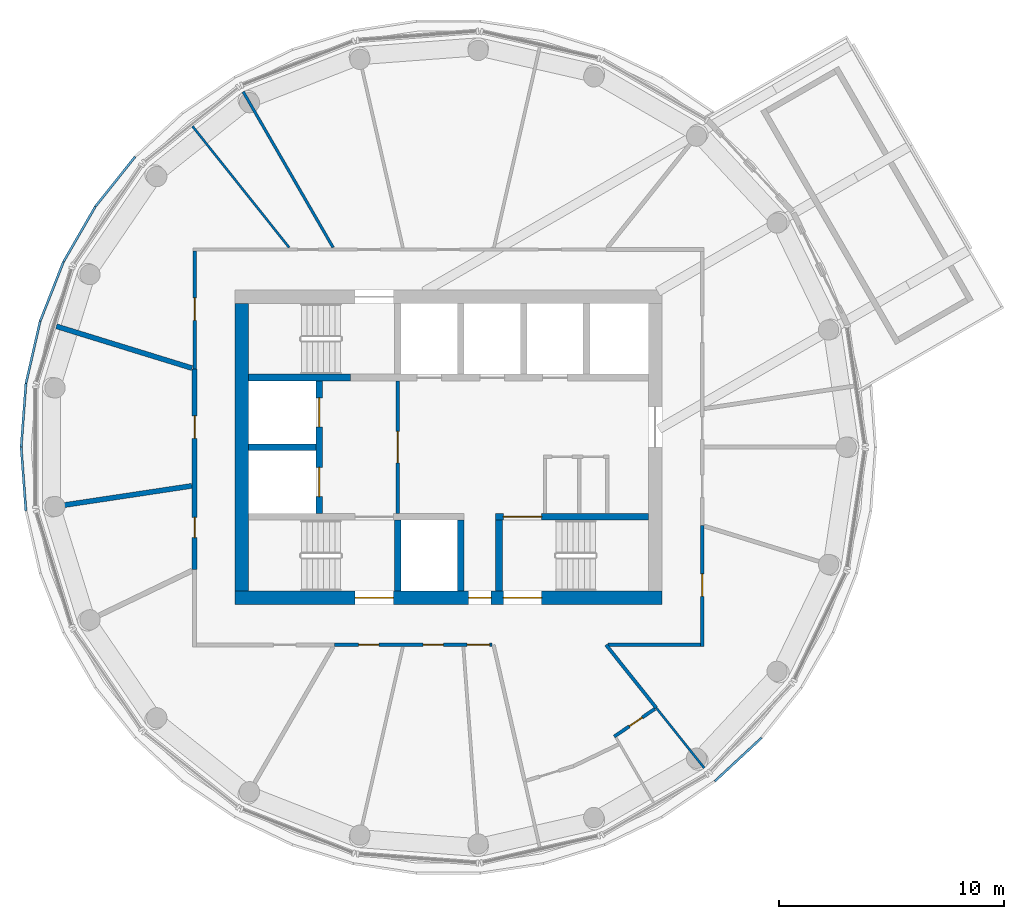
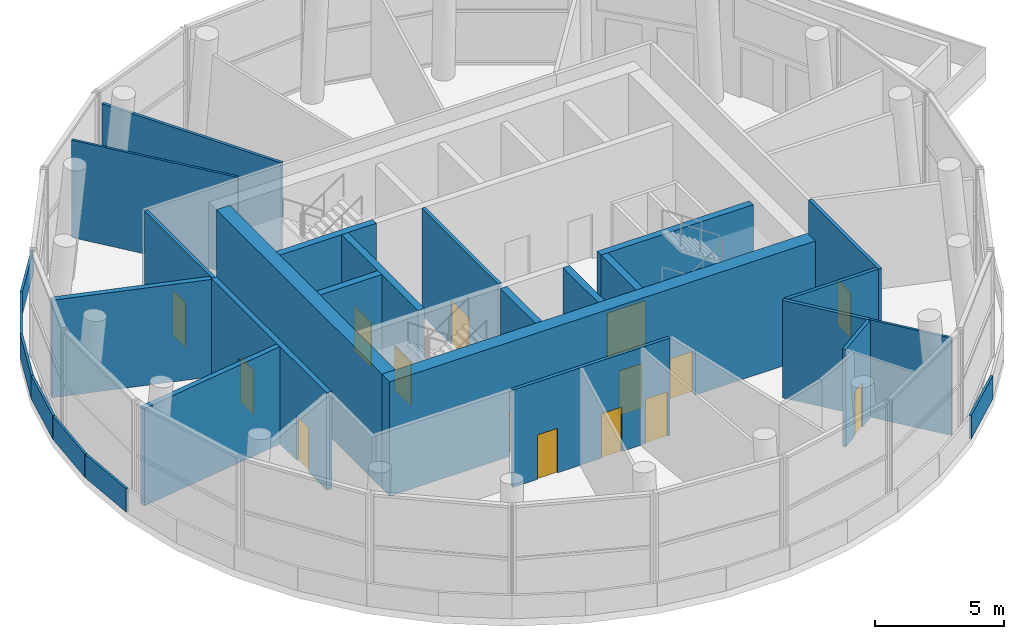
# One storey, part 5 of 10: 29 walls, 15 doors, 15 openings.
"""IFC4 building model written with IfcOpenShell, lengths in metres."""

from ifc_helpers import new_model, si_unit, direction, frame, frame_2d, origin, place, context, subcontext, project, spatial, rectangle, extrude, material, layer, layer_set, type_object, element, fill, save


model = new_model("IFC4")

# Units and contexts
model_context = context("Model", 3, precision=1e-05, world=origin(), true_north=direction((0.0, 1.0)))
body_context = subcontext(model_context, "Body", "Model", "MODEL_VIEW")
ifc_project = project(units=[si_unit("LENGTHUNIT", "METRE"), si_unit("AREAUNIT", "SQUARE_METRE"), si_unit("VOLUMEUNIT", "CUBIC_METRE"), si_unit("PLANEANGLEUNIT", "RADIAN"), si_unit("MASSUNIT", "GRAM", prefix="KILO")], contexts=[model_context])

# Site, building, storey
site_placement = place(None, origin())
site = spatial("IfcSite", under=ifc_project, at=site_placement, CompositionType="ELEMENT")
building_placement = place(site_placement, origin())
building = spatial("IfcBuilding", under=site, at=building_placement, Name="Tracery Tower", CompositionType="ELEMENT")
storey_placement = place(building_placement, frame((0.0, 0.0, 341.39990234375)))
storey = spatial("IfcBuildingStorey", under=building, at=storey_placement, Name="L88", CompositionType="ELEMENT", Elevation=341.39990234375)

# Wall, opening, door
ifc_material_1 = material(Name="Plasterboard on steel studs", Category="steel")
ifc_layer_1 = layer(ifc_material_1, 0.14990234375)
ifc_layer_set_1 = layer_set([ifc_layer_1], Name="Core lobby partition 150")
wall_type_1 = type_object("IfcWallType", Name="Core lobby partition 150", PredefinedType="SOLIDWALL", material=ifc_layer_set_1)
wall_1_placement = place(storey_placement, frame((-2.25, -2.949951171875, 0.0), z_axis=(0.0, 0.0, 1.0), x_axis=(0.0, 1.0, 0.0)))
wall_1 = element("IfcWall", 1, at=wall_1_placement, inside=storey, type_object=wall_type_1, Name="L88 FF lobby E", PredefinedType="SOLIDWALL", context=body_context, shape_type="SweptSolid", body=[
    extrude(rectangle(XDim=5.89990234375, YDim=0.14990234375, at=frame_2d((2.949951171875, 0.0))), origin(), (0.0, 0.0, 1.0), 5.050048828125),
])
opening_1_placement = place(wall_1_placement, frame((2.25, 0.0, 0.0)))
opening_1 = element("IfcOpeningElement", 2, at=opening_1_placement, cuts=wall_1, Name="Opening KD8", PredefinedType="OPENING", context=body_context, shape_type="SweptSolid", body=[
    extrude(rectangle(XDim=1.39990234375, YDim=2.10009765625, at=frame_2d((0.699951171875, 1.050048828125))), frame((0.0, 0.074951171875, 0.0), z_axis=(0.0, -1.0, 0.0), x_axis=(1.0, 0.0, 0.0)), (0.0, 0.0, 1.0), 0.14990234375),
])
ifc_material_2 = material(Name="Steel fire door", Category="steel")
door_type_1 = type_object("IfcDoorType", Name="Core lobby door 1400 double", OperationType="NOTDEFINED", PredefinedType="DOOR", material=ifc_material_2)
door_1_placement = place(opening_1_placement, origin())
door_1 = element("IfcDoor", 3, at=door_1_placement, inside=storey, type_object=door_type_1, Name="Fire-fighting lobby door", OperationType="DOUBLE_DOOR_SINGLE_SWING", OverallHeight=2.10009765625, OverallWidth=1.39990234375, PredefinedType="DOOR", context=body_context, shape_type="SweptSolid", body=[
    extrude(rectangle(XDim=1.39990234375, YDim=2.10009765625, at=frame_2d((0.699951171875, 1.050048828125))), frame((0.0, 0.02490234375, 0.0), z_axis=(0.0, -1.0, 0.0), x_axis=(1.0, 0.0, 0.0)), (0.0, 0.0, 1.0), 0.050048828125),
])
fill(opening_1, door_1)

# Wall, openings, doors
ifc_material_3 = material(Name="Concrete C40/50", Category="concrete")
ifc_layer_2 = layer(ifc_material_3, 0.60009765625)
ifc_layer_set_2 = layer_set([ifc_layer_2], Name="Core wall 600 C40")
wall_type_2 = type_object("IfcWallType", Name="Core wall 600 C40", PredefinedType="SOLIDWALL", material=ifc_layer_set_2)
wall_2_placement = place(storey_placement, frame((-9.5, -6.699951171875, 0.0), z_axis=(0.0, 0.0, 1.0), x_axis=(1.0, 0.0, 0.0)))
wall_2 = element("IfcWall", 4, at=wall_2_placement, inside=storey, type_object=wall_type_2, Name="L88 outer S", PredefinedType="SOLIDWALL", context=body_context, shape_type="SweptSolid", body=[
    extrude(rectangle(XDim=19.0, YDim=0.60009765625, at=frame_2d((9.5, 0.0))), origin(), (0.0, 0.0, 1.0), 5.400146484375),
])
opening_2_placement = place(wall_2_placement, frame((10.39990234375, 0.0, 0.0)))
opening_2 = element("IfcOpeningElement", 5, at=opening_2_placement, cuts=wall_2, Name="Opening KD16", PredefinedType="OPENING", context=body_context, shape_type="SweptSolid", body=[
    extrude(rectangle(XDim=1.0, YDim=2.10009765625, at=frame_2d((0.5, 1.050048828125))), frame((0.0, 0.300048828125, 0.0), z_axis=(0.0, -1.0, 0.0), x_axis=(1.0, 0.0, 0.0)), (0.0, 0.0, 1.0), 0.60009765625),
])
opening_3_placement = place(wall_2_placement, frame((5.35009765625, 0.0, 0.0)))
opening_3 = element("IfcOpeningElement", 6, at=opening_3_placement, cuts=wall_2, Name="Opening KD3", PredefinedType="OPENING", context=body_context, shape_type="SweptSolid", body=[
    extrude(rectangle(XDim=1.699951171875, YDim=2.10009765625, at=frame_2d((0.85009765625, 1.050048828125))), frame((0.0, 0.300048828125, 0.0), z_axis=(0.0, -1.0, 0.0), x_axis=(1.0, 0.0, 0.0)), (0.0, 0.0, 1.0), 0.60009765625),
])
opening_4_placement = place(wall_2_placement, frame((11.949951171875, 0.0, 0.0)))
opening_4 = element("IfcOpeningElement", 7, at=opening_4_placement, cuts=wall_2, Name="Opening KD3", PredefinedType="OPENING", context=body_context, shape_type="SweptSolid", body=[
    extrude(rectangle(XDim=1.699951171875, YDim=2.10009765625, at=frame_2d((0.85009765625, 1.050048828125))), frame((0.0, 0.300048828125, 0.0), z_axis=(0.0, -1.0, 0.0), x_axis=(1.0, 0.0, 0.0)), (0.0, 0.0, 1.0), 0.60009765625),
])
ifc_material_4 = material(Name="Steel fire door", Category="steel")
door_type_2 = type_object("IfcDoorType", Name="Core exit door 1000", OperationType="NOTDEFINED", PredefinedType="DOOR", material=ifc_material_4)
door_2_placement = place(opening_2_placement, origin())
door_2 = element("IfcDoor", 8, at=door_2_placement, inside=storey, type_object=door_type_2, Name="Core exit door", OperationType="SINGLE_SWING_LEFT", OverallHeight=2.10009765625, OverallWidth=1.0, PredefinedType="DOOR", context=body_context, shape_type="SweptSolid", body=[
    extrude(rectangle(XDim=1.0, YDim=2.10009765625, at=frame_2d((0.5, 1.050048828125))), frame((0.0, 0.02490234375, 0.0), z_axis=(0.0, -1.0, 0.0), x_axis=(1.0, 0.0, 0.0)), (0.0, 0.0, 1.0), 0.050048828125),
])
fill(opening_2, door_2)
ifc_material_5 = material(Name="Steel fire door", Category="steel")
door_type_3 = type_object("IfcDoorType", Name="Core stair door 1700 double", OperationType="NOTDEFINED", PredefinedType="DOOR", material=ifc_material_5)
door_3_placement = place(opening_3_placement, origin())
door_3 = element("IfcDoor", 9, at=door_3_placement, inside=storey, type_object=door_type_3, Name="Stair door ST1 exit", OperationType="DOUBLE_DOOR_SINGLE_SWING", OverallHeight=2.10009765625, OverallWidth=1.699951171875, PredefinedType="DOOR", context=body_context, shape_type="SweptSolid", body=[
    extrude(rectangle(XDim=1.699951171875, YDim=2.10009765625, at=frame_2d((0.85009765625, 1.050048828125))), frame((0.0, 0.02490234375, 0.0), z_axis=(0.0, -1.0, 0.0), x_axis=(1.0, 0.0, 0.0)), (0.0, 0.0, 1.0), 0.050048828125),
])
fill(opening_3, door_3)
door_4_placement = place(opening_4_placement, origin())
door_4 = element("IfcDoor", 10, at=door_4_placement, inside=storey, type_object=door_type_3, Name="Stair door ST2 exit", OperationType="DOUBLE_DOOR_SINGLE_SWING", OverallHeight=2.10009765625, OverallWidth=1.699951171875, PredefinedType="DOOR", context=body_context, shape_type="SweptSolid", body=[
    extrude(rectangle(XDim=1.699951171875, YDim=2.10009765625, at=frame_2d((0.85009765625, 1.050048828125))), frame((0.0, 0.02490234375, 0.0), z_axis=(0.0, -1.0, 0.0), x_axis=(1.0, 0.0, 0.0)), (0.0, 0.0, 1.0), 0.050048828125),
])
fill(opening_4, door_4)

# Wall
wall_3_placement = place(storey_placement, frame((-9.199951171875, -6.39990234375, 0.0), z_axis=(0.0, 0.0, 1.0), x_axis=(0.0, 1.0, 0.0)))
element("IfcWall", 11, at=wall_3_placement, inside=storey, type_object=wall_type_2, Name="L88 outer W", PredefinedType="SOLIDWALL", context=body_context, shape_type="SweptSolid", body=[
    extrude(rectangle(XDim=12.7998046875, YDim=0.60009765625, at=frame_2d((6.39990234375, 0.0))), origin(), (0.0, 0.0, 1.0), 5.400146484375),
])

# Wall, opening, door
ifc_material_6 = material(Name="Plasterboard on steel studs", Category="steel")
ifc_layer_3 = layer(ifc_material_6, 0.14990234375)
ifc_layer_set_3 = layer_set([ifc_layer_3], Name="Corridor partition 150")
wall_type_3 = type_object("IfcWallType", Name="Corridor partition 150", PredefinedType="PARTITIONING", material=ifc_layer_set_3)
wall_4_placement = place(storey_placement, frame((-11.300048828125, 3.485595703125, 0.0), z_axis=(0.0, 0.0, 1.0), x_axis=(0.0, 1.0, 0.0)))
wall_4 = element("IfcWall", 12, at=wall_4_placement, inside=storey, type_object=wall_type_3, Name="Corridor partition 150", PredefinedType="PARTITIONING", context=body_context, shape_type="SweptSolid", body=[
    extrude(rectangle(XDim=5.239501953125, YDim=0.14990234375, at=frame_2d((2.61962890625, 0.0))), origin(), (0.0, 0.0, 1.0), 4.60009765625),
])
opening_5_placement = place(wall_4_placement, frame((2.1572265625, 0.0, 0.0)))
opening_5 = element("IfcOpeningElement", 13, at=opening_5_placement, cuts=wall_4, Name="Opening SB-L88-06", PredefinedType="OPENING", context=body_context, shape_type="SweptSolid", body=[
    extrude(rectangle(XDim=1.0, YDim=2.10009765625, at=frame_2d((0.5, 1.050048828125))), frame((0.0, 0.074951171875, 0.0), z_axis=(0.0, -1.0, 0.0), x_axis=(1.0, 0.0, 0.0)), (0.0, 0.0, 1.0), 0.14990234375),
])
ifc_material_7 = material(Name="Timber door leaf", Category="wood")
door_type_4 = type_object("IfcDoorType", Name="Public room door 1000", OperationType="NOTDEFINED", PredefinedType="DOOR", material=ifc_material_7)
door_5_placement = place(opening_5_placement, origin())
door_5 = element("IfcDoor", 14, at=door_5_placement, inside=storey, type_object=door_type_4, Name="Public room door 1000", OperationType="SINGLE_SWING_RIGHT", OverallHeight=2.10009765625, OverallWidth=1.0, PredefinedType="DOOR", context=body_context, shape_type="SweptSolid", body=[
    extrude(rectangle(XDim=1.0, YDim=2.10009765625, at=frame_2d((0.5, 1.050048828125))), frame((0.0, 0.02490234375, 0.0), z_axis=(0.0, -1.0, 0.0), x_axis=(1.0, 0.0, 0.0)), (0.0, 0.0, 1.0), 0.050048828125),
])
fill(opening_5, door_5)

# Wall, openings, doors
wall_5_placement = place(storey_placement, frame((1.931640625, -8.800048828125, 0.0), z_axis=(0.0, 0.0, 1.0), x_axis=(-1.0, 0.0, 0.0)))
wall_5 = element("IfcWall", 15, at=wall_5_placement, inside=storey, type_object=wall_type_3, Name="Corridor partition 150", PredefinedType="PARTITIONING", context=body_context, shape_type="SweptSolid", body=[
    extrude(rectangle(XDim=7.012451171875, YDim=0.14990234375, at=frame_2d((3.50634765625, 0.0))), origin(), (0.0, 0.0, 1.0), 4.60009765625),
])
opening_6_placement = place(wall_5_placement, frame((5.026123046875, 0.0, 0.0)))
opening_6 = element("IfcOpeningElement", 16, at=opening_6_placement, cuts=wall_5, Name="Opening SB-L88-10", PredefinedType="OPENING", context=body_context, shape_type="SweptSolid", body=[
    extrude(rectangle(XDim=0.89990234375, YDim=2.10009765625, at=frame_2d((0.449951171875, 1.050048828125))), frame((0.0, 0.074951171875, 0.0), z_axis=(0.0, -1.0, 0.0), x_axis=(1.0, 0.0, 0.0)), (0.0, 0.0, 1.0), 0.14990234375),
])
opening_7_placement = place(wall_5_placement, frame((2.156005859375, 0.0, 0.0)))
opening_7 = element("IfcOpeningElement", 17, at=opening_7_placement, cuts=wall_5, Name="Opening SB-L88-11", PredefinedType="OPENING", context=body_context, shape_type="SweptSolid", body=[
    extrude(rectangle(XDim=0.89990234375, YDim=2.10009765625, at=frame_2d((0.449951171875, 1.050048828125))), frame((0.0, 0.074951171875, 0.0), z_axis=(0.0, -1.0, 0.0), x_axis=(1.0, 0.0, 0.0)), (0.0, 0.0, 1.0), 0.14990234375),
])
opening_8_placement = place(wall_5_placement, frame((0.09765625, 0.0, 0.0)))
opening_8 = element("IfcOpeningElement", 18, at=opening_8_placement, cuts=wall_5, Name="Opening SB-L88-12", PredefinedType="OPENING", context=body_context, shape_type="SweptSolid", body=[
    extrude(rectangle(XDim=1.0, YDim=2.10009765625, at=frame_2d((0.5, 1.050048828125))), frame((0.0, 0.074951171875, 0.0), z_axis=(0.0, -1.0, 0.0), x_axis=(1.0, 0.0, 0.0)), (0.0, 0.0, 1.0), 0.14990234375),
])
ifc_material_8 = material(Name="Timber door leaf", Category="wood")
door_type_5 = type_object("IfcDoorType", Name="Accessible toilet door 1000", OperationType="NOTDEFINED", PredefinedType="DOOR", material=ifc_material_8)
door_6_placement = place(opening_8_placement, origin())
door_6 = element("IfcDoor", 19, at=door_6_placement, inside=storey, type_object=door_type_5, Name="Accessible toilet door 1000", OperationType="SINGLE_SWING_RIGHT", OverallHeight=2.10009765625, OverallWidth=1.0, PredefinedType="DOOR", context=body_context, shape_type="SweptSolid", body=[
    extrude(rectangle(XDim=1.0, YDim=2.10009765625, at=frame_2d((0.5, 1.050048828125))), frame((0.0, 0.02490234375, 0.0), z_axis=(0.0, -1.0, 0.0), x_axis=(1.0, 0.0, 0.0)), (0.0, 0.0, 1.0), 0.050048828125),
])
fill(opening_8, door_6)
ifc_material_9 = material(Name="Timber door leaf", Category="wood")
door_type_6 = type_object("IfcDoorType", Name="Toilet door 900", OperationType="NOTDEFINED", PredefinedType="DOOR", material=ifc_material_9)
door_7_placement = place(opening_6_placement, origin())
door_7 = element("IfcDoor", 20, at=door_7_placement, inside=storey, type_object=door_type_6, Name="Toilet door 900", OperationType="SINGLE_SWING_RIGHT", OverallHeight=2.10009765625, OverallWidth=0.89990234375, PredefinedType="DOOR", context=body_context, shape_type="SweptSolid", body=[
    extrude(rectangle(XDim=0.89990234375, YDim=2.10009765625, at=frame_2d((0.449951171875, 1.050048828125))), frame((0.0, 0.02490234375, 0.0), z_axis=(0.0, -1.0, 0.0), x_axis=(1.0, 0.0, 0.0)), (0.0, 0.0, 1.0), 0.050048828125),
])
fill(opening_6, door_7)
door_8_placement = place(opening_7_placement, origin())
door_8 = element("IfcDoor", 21, at=door_8_placement, inside=storey, type_object=door_type_6, Name="Toilet door 900", OperationType="SINGLE_SWING_RIGHT", OverallHeight=2.10009765625, OverallWidth=0.89990234375, PredefinedType="DOOR", context=body_context, shape_type="SweptSolid", body=[
    extrude(rectangle(XDim=0.89990234375, YDim=2.10009765625, at=frame_2d((0.449951171875, 1.050048828125))), frame((0.0, 0.02490234375, 0.0), z_axis=(0.0, -1.0, 0.0), x_axis=(1.0, 0.0, 0.0)), (0.0, 0.0, 1.0), 0.050048828125),
])
fill(opening_7, door_8)

# Wall
wall_6_placement = place(storey_placement, frame((7.11376953125, -8.800048828125, 0.0), z_axis=(0.0, 0.0, 1.0), x_axis=(1.0, 0.0, 0.0)))
element("IfcWall", 22, at=wall_6_placement, inside=storey, type_object=wall_type_3, Name="Corridor partition 150", PredefinedType="PARTITIONING", context=body_context, shape_type="SweptSolid", body=[
    extrude(rectangle(XDim=4.111328125, YDim=0.14990234375, at=frame_2d((2.0556640625, 0.0))), origin(), (0.0, 0.0, 1.0), 4.60009765625),
])

# Wall, opening, door
wall_7_placement = place(storey_placement, frame((9.193603515625, -11.6484375, 0.0), z_axis=(0.0, 0.0, 1.0), x_axis=(-0.826217924627, -0.563350637724, 0.0)))
wall_7 = element("IfcWall", 23, at=wall_7_placement, inside=storey, type_object=wall_type_3, Name="Corridor partition 150", PredefinedType="PARTITIONING", context=body_context, shape_type="SweptSolid", body=[
    extrude(rectangle(XDim=2.19384765625, YDim=0.14990234375, at=frame_2d((1.096923828125, 0.0))), origin(), (0.0, 0.0, 1.0), 4.60009765625),
])
opening_9_placement = place(wall_7_placement, frame((0.68408203125, 0.0, 0.0)))
opening_9 = element("IfcOpeningElement", 24, at=opening_9_placement, cuts=wall_7, Name="Opening SB-L88-14", PredefinedType="OPENING", context=body_context, shape_type="SweptSolid", body=[
    extrude(rectangle(XDim=0.699951171875, YDim=2.10009765625, at=frame_2d((0.35009765625, 1.050048828125))), frame((0.0, 0.074951171875, 0.0), z_axis=(0.0, -1.0, 0.0), x_axis=(1.0, 0.0, 0.0)), (0.0, 0.0, 1.0), 0.14990234375),
])
ifc_material_10 = material(Name="Steel fire door", Category="steel")
door_type_7 = type_object("IfcDoorType", Name="Riser door 700", OperationType="NOTDEFINED", PredefinedType="DOOR", material=ifc_material_10)
door_9_placement = place(opening_9_placement, origin())
door_9 = element("IfcDoor", 25, at=door_9_placement, inside=storey, type_object=door_type_7, Name="Riser door 700", OperationType="SINGLE_SWING_RIGHT", OverallHeight=2.10009765625, OverallWidth=0.699951171875, PredefinedType="DOOR", context=body_context, shape_type="SweptSolid", body=[
    extrude(rectangle(XDim=0.699951171875, YDim=2.10009765625, at=frame_2d((0.35009765625, 1.050048828125))), frame((0.0, 0.02490234375, 0.0), z_axis=(0.0, -1.0, 0.0), x_axis=(1.0, 0.0, 0.0)), (0.0, 0.0, 1.0), 0.050048828125),
])
fill(opening_9, door_9)

# Wall
wall_8_placement = place(storey_placement, frame((9.255615234375, -11.606201171875, 0.0), z_axis=(0.0, 0.0, 1.0), x_axis=(-0.623483185338, 0.781836758921, 0.0)))
element("IfcWall", 26, at=wall_8_placement, inside=storey, type_object=wall_type_3, Name="Corridor partition 150", PredefinedType="PARTITIONING", context=body_context, shape_type="SweptSolid", body=[
    extrude(rectangle(XDim=3.589111328125, YDim=0.14990234375, at=frame_2d((1.79443359375, 0.0))), origin(), (0.0, 0.0, 1.0), 4.60009765625),
])

# Wall, opening, door
wall_9_placement = place(storey_placement, frame((11.300048828125, -3.485595703125, 0.0), z_axis=(0.0, 0.0, 1.0), x_axis=(0.0, -1.0, 0.0)))
wall_9 = element("IfcWall", 27, at=wall_9_placement, inside=storey, type_object=wall_type_3, Name="Corridor partition 150", PredefinedType="PARTITIONING", context=body_context, shape_type="SweptSolid", body=[
    extrude(rectangle(XDim=5.389404296875, YDim=0.14990234375, at=frame_2d((2.69482421875, 0.0))), origin(), (0.0, 0.0, 1.0), 4.60009765625),
])
opening_10_placement = place(wall_9_placement, frame((2.1572265625, 0.0, 0.0)))
opening_10 = element("IfcOpeningElement", 28, at=opening_10_placement, cuts=wall_9, Name="Opening SB-L88-15", PredefinedType="OPENING", context=body_context, shape_type="SweptSolid", body=[
    extrude(rectangle(XDim=1.0, YDim=2.10009765625, at=frame_2d((0.5, 1.050048828125))), frame((0.0, 0.074951171875, 0.0), z_axis=(0.0, -1.0, 0.0), x_axis=(1.0, 0.0, 0.0)), (0.0, 0.0, 1.0), 0.14990234375),
])
door_10_placement = place(opening_10_placement, origin())
door_10 = element("IfcDoor", 29, at=door_10_placement, inside=storey, type_object=door_type_4, Name="Public room door 1000", OperationType="SINGLE_SWING_RIGHT", OverallHeight=2.10009765625, OverallWidth=1.0, PredefinedType="DOOR", context=body_context, shape_type="SweptSolid", body=[
    extrude(rectangle(XDim=1.0, YDim=2.10009765625, at=frame_2d((0.5, 1.050048828125))), frame((0.0, 0.02490234375, 0.0), z_axis=(0.0, -1.0, 0.0), x_axis=(1.0, 0.0, 0.0)), (0.0, 0.0, 1.0), 0.050048828125),
])
fill(opening_10, door_10)

# Walls
ifc_material_11 = material(Name="Tinted laminated glass", Category="glass")
ifc_layer_4 = layer(ifc_material_11, 0.10009765625)
ifc_layer_set_4 = layer_set([ifc_layer_4], Name="Crown ledge glass parapet 100")
wall_type_4 = type_object("IfcWallType", Name="Crown ledge glass parapet 100", PredefinedType="PARAPET", material=ifc_layer_set_4)
wall_10_placement = place(storey_placement, frame((-13.947021484375, 12.9345703125, 0.0), z_axis=(0.0, 0.0, 1.0), x_axis=(-0.623528060762, -0.781800970479, 0.0)))
element("IfcWall", 30, at=wall_10_placement, inside=storey, type_object=wall_type_4, Name="Crown ledge glass parapet L88 17", PredefinedType="PARAPET", context=body_context, shape_type="SweptSolid", body=[
    extrude(rectangle(XDim=2.833740234375, YDim=0.10009765625, at=frame_2d((1.4169921875, 0.0))), origin(), (0.0, 0.0, 1.0), 1.10009765625),
])
for number, where, z_axis, x_axis, name in (
    (31, (-15.718994140625, 10.71142578125, 0.0), (0.0, 0.0, 1.0), (-0.500068006784, -0.865986136489, 0.0), "Crown ledge glass parapet L88 18"),
    (32, (-17.139892578125, 8.248779296875, 0.0), (0.0, 0.0, 1.0), (-0.36542576192, -0.930840487154, 0.0), "Crown ledge glass parapet L88 19"),
):
    element("IfcWall", number, at=place(storey_placement, frame(where, z_axis=z_axis, x_axis=x_axis)), inside=storey, type_object=wall_type_4, Name=name, PredefinedType="PARAPET", context=body_context, shape_type="SweptSolid", body=[
        extrude(rectangle(XDim=2.83349609375, YDim=0.10009765625, at=frame_2d((1.416748046875, 0.0))), origin(), (0.0, 0.0, 1.0), 1.10009765625),
    ])
wall_11_placement = place(storey_placement, frame((-18.177978515625, 5.602294921875, 0.0), z_axis=(0.0, 0.0, 1.0), x_axis=(-0.22253705317, -0.974924232936, 0.0)))
element("IfcWall", 33, at=wall_11_placement, inside=storey, type_object=wall_type_4, Name="Crown ledge glass parapet L88 20", PredefinedType="PARAPET", context=body_context, shape_type="SweptSolid", body=[
    extrude(rectangle(XDim=2.833740234375, YDim=0.10009765625, at=frame_2d((1.4169921875, 0.0))), origin(), (0.0, 0.0, 1.0), 1.10009765625),
])
for number, where, z_axis, x_axis, name in (
    (34, (-18.81005859375, 2.830322265625, 0.0), (0.0, 0.0, 1.0), (-0.074699986856, -0.997206052912, 0.0), "Crown ledge glass parapet L88 21"),
    (35, (-19.021728515625, -0.004638671875, 0.0), (0.0, 0.0, 1.0), (0.074699986856, -0.997206052912, 0.0), "Crown ledge glass parapet L88 22"),
):
    element("IfcWall", number, at=place(storey_placement, frame(where, z_axis=z_axis, x_axis=x_axis)), inside=storey, type_object=wall_type_4, Name=name, PredefinedType="PARAPET", context=body_context, shape_type="SweptSolid", body=[
        extrude(rectangle(XDim=2.83349609375, YDim=0.10009765625, at=frame_2d((1.416748046875, 0.0))), origin(), (0.0, 0.0, 1.0), 1.10009765625),
    ])
wall_12_placement = place(storey_placement, frame((11.863525390625, -14.868896484375, 0.0), z_axis=(0.0, 0.0, 1.0), x_axis=(0.733020526628, 0.680206518303, 0.0)))
element("IfcWall", 36, at=wall_12_placement, inside=storey, type_object=wall_type_4, Name="Crown ledge glass parapet L88 37", PredefinedType="PARAPET", context=body_context, shape_type="SweptSolid", body=[
    extrude(rectangle(XDim=2.833740234375, YDim=0.10009765625, at=frame_2d((1.4169921875, 0.0))), origin(), (0.0, 0.0, 1.0), 1.10009765625),
])
ifc_material_12 = material(Name="Concrete blockwork", Category="masonry")
ifc_layer_5 = layer(ifc_material_12, 0.22509765625)
ifc_layer_set_5 = layer_set([ifc_layer_5], Name="Plant room block wall 225")
wall_type_5 = type_object("IfcWallType", Name="Plant room block wall 225", PredefinedType="PARTITIONING", material=ifc_layer_set_5)
wall_13_placement = place(storey_placement, frame((-18.0673828125, -2.72314453125, 0.0), z_axis=(0.0, 0.0, 1.0), x_axis=(0.988832741311, 0.149029559859, 0.0)))
element("IfcWall", 37, at=wall_13_placement, inside=storey, type_object=wall_type_5, Name="Plant room block wall 225", PredefinedType="PARTITIONING", context=body_context, shape_type="SweptSolid", body=[
    extrude(rectangle(XDim=6.721435546875, YDim=0.22509765625, at=frame_2d((3.36083984375, 0.0))), origin(), (0.0, 0.0, 1.0), 4.60009765625),
])
wall_14_placement = place(storey_placement, frame((-17.459716796875, 5.385498046875, 0.0), z_axis=(0.0, 0.0, 1.0), x_axis=(0.955575246974, -0.294747260159, 0.0)))
element("IfcWall", 38, at=wall_14_placement, inside=storey, type_object=wall_type_5, Name="Plant room block wall 225", PredefinedType="PARTITIONING", context=body_context, shape_type="SweptSolid", body=[
    extrude(rectangle(XDim=6.328369140625, YDim=0.22509765625, at=frame_2d((3.1640625, 0.0))), origin(), (0.0, 0.0, 1.0), 4.60009765625),
])

# Wall, openings, doors
wall_15_placement = place(storey_placement, frame((-11.300048828125, -5.44189453125, 0.0), z_axis=(0.0, 0.0, 1.0), x_axis=(0.0, 1.0, 0.0)))
wall_15 = element("IfcWall", 39, at=wall_15_placement, inside=storey, type_object=wall_type_5, Name="Plant room block wall 225", PredefinedType="PARTITIONING", context=body_context, shape_type="SweptSolid", body=[
    extrude(rectangle(XDim=8.927490234375, YDim=0.22509765625, at=frame_2d((4.4638671875, 0.0))), origin(), (0.0, 0.0, 1.0), 4.60009765625),
])
opening_11_placement = place(wall_15_placement, frame((5.8330078125, 0.0, 0.0)))
opening_11 = element("IfcOpeningElement", 40, at=opening_11_placement, cuts=wall_15, Name="Opening SB-L88-07", PredefinedType="OPENING", context=body_context, shape_type="SweptSolid", body=[
    extrude(rectangle(XDim=1.0, YDim=2.10009765625, at=frame_2d((0.5, 1.050048828125))), frame((0.0, 0.112548828125, 0.0), z_axis=(0.0, -1.0, 0.0), x_axis=(1.0, 0.0, 0.0)), (0.0, 0.0, 1.0), 0.22509765625),
])
opening_12_placement = place(wall_15_placement, frame((1.419189453125, 0.0, 0.0)))
opening_12 = element("IfcOpeningElement", 41, at=opening_12_placement, cuts=wall_15, Name="Opening SB-L88-08", PredefinedType="OPENING", context=body_context, shape_type="SweptSolid", body=[
    extrude(rectangle(XDim=0.89990234375, YDim=2.10009765625, at=frame_2d((0.449951171875, 1.050048828125))), frame((0.0, 0.112548828125, 0.0), z_axis=(0.0, -1.0, 0.0), x_axis=(1.0, 0.0, 0.0)), (0.0, 0.0, 1.0), 0.22509765625),
])
ifc_material_13 = material(Name="Steel fire door", Category="steel")
door_type_8 = type_object("IfcDoorType", Name="Plant room door 1000", OperationType="NOTDEFINED", PredefinedType="DOOR", material=ifc_material_13)
door_11_placement = place(opening_11_placement, origin())
door_11 = element("IfcDoor", 42, at=door_11_placement, inside=storey, type_object=door_type_8, Name="Plant room door 1000", OperationType="SINGLE_SWING_RIGHT", OverallHeight=2.10009765625, OverallWidth=1.0, PredefinedType="DOOR", context=body_context, shape_type="SweptSolid", body=[
    extrude(rectangle(XDim=1.0, YDim=2.10009765625, at=frame_2d((0.5, 1.050048828125))), frame((0.0, 0.02490234375, 0.0), z_axis=(0.0, -1.0, 0.0), x_axis=(1.0, 0.0, 0.0)), (0.0, 0.0, 1.0), 0.050048828125),
])
fill(opening_11, door_11)
ifc_material_14 = material(Name="Steel fire door", Category="steel")
door_type_9 = type_object("IfcDoorType", Name="Store door 900", OperationType="NOTDEFINED", PredefinedType="DOOR", material=ifc_material_14)
door_12_placement = place(opening_12_placement, origin())
door_12 = element("IfcDoor", 43, at=door_12_placement, inside=storey, type_object=door_type_9, Name="Store door 900", OperationType="SINGLE_SWING_RIGHT", OverallHeight=2.10009765625, OverallWidth=0.89990234375, PredefinedType="DOOR", context=body_context, shape_type="SweptSolid", body=[
    extrude(rectangle(XDim=0.89990234375, YDim=2.10009765625, at=frame_2d((0.449951171875, 1.050048828125))), frame((0.0, 0.02490234375, 0.0), z_axis=(0.0, -1.0, 0.0), x_axis=(1.0, 0.0, 0.0)), (0.0, 0.0, 1.0), 0.050048828125),
])
fill(opening_12, door_12)

# Wall
ifc_material_15 = material(Name="Concrete C40/50", Category="concrete")
ifc_layer_6 = layer(ifc_material_15, 0.300048828125)
ifc_layer_set_6 = layer_set([ifc_layer_6], Name="Shaft wall 300 C40")
wall_type_6 = type_object("IfcWallType", Name="Shaft wall 300 C40", PredefinedType="SOLIDWALL", material=ifc_layer_set_6)
wall_16_placement = place(storey_placement, frame((-8.89990234375, 0.0, 0.0), z_axis=(0.0, 0.0, 1.0), x_axis=(1.0, 0.0, 0.0)))
element("IfcWall", 44, at=wall_16_placement, inside=storey, type_object=wall_type_6, Name="L88 FF split", PredefinedType="SOLIDWALL", context=body_context, shape_type="SweptSolid", body=[
    extrude(rectangle(XDim=3.0, YDim=0.300048828125, at=frame_2d((1.5, 0.0))), origin(), (0.0, 0.0, 1.0), 5.050048828125),
])

# Wall, openings, doors
wall_17_placement = place(storey_placement, frame((-5.75, -2.949951171875, 0.0), z_axis=(0.0, 0.0, 1.0), x_axis=(0.0, 1.0, 0.0)))
wall_17 = element("IfcWall", 45, at=wall_17_placement, inside=storey, type_object=wall_type_6, Name="L88 FF doors", PredefinedType="SOLIDWALL", context=body_context, shape_type="SweptSolid", body=[
    extrude(rectangle(XDim=5.89990234375, YDim=0.300048828125, at=frame_2d((2.949951171875, 0.0))), origin(), (0.0, 0.0, 1.0), 5.050048828125),
])
opening_13_placement = place(wall_17_placement, frame((0.75, 0.0, 0.0)))
opening_13 = element("IfcOpeningElement", 46, at=opening_13_placement, cuts=wall_17, Name="Opening KD54", PredefinedType="OPENING", context=body_context, shape_type="SweptSolid", body=[
    extrude(rectangle(XDim=1.300048828125, YDim=2.10009765625, at=frame_2d((0.64990234375, 1.050048828125))), frame((0.0, 0.14990234375, 0.0), z_axis=(0.0, -1.0, 0.0), x_axis=(1.0, 0.0, 0.0)), (0.0, 0.0, 1.0), 0.300048828125),
])
opening_14_placement = place(wall_17_placement, frame((3.85009765625, 0.0, 0.0)))
opening_14 = element("IfcOpeningElement", 47, at=opening_14_placement, cuts=wall_17, Name="Opening KD55", PredefinedType="OPENING", context=body_context, shape_type="SweptSolid", body=[
    extrude(rectangle(XDim=1.300048828125, YDim=2.10009765625, at=frame_2d((0.64990234375, 1.050048828125))), frame((0.0, 0.14990234375, 0.0), z_axis=(0.0, -1.0, 0.0), x_axis=(1.0, 0.0, 0.0)), (0.0, 0.0, 1.0), 0.300048828125),
])
ifc_material_16 = material(Name="Steel fire door", Category="steel")
door_type_10 = type_object("IfcDoorType", Name="Landing door FF 1300", OperationType="NOTDEFINED", PredefinedType="DOOR", material=ifc_material_16)
door_13_placement = place(opening_13_placement, origin())
door_13 = element("IfcDoor", 48, at=door_13_placement, inside=storey, type_object=door_type_10, Name="Landing door FF1", OperationType="SLIDING_TO_LEFT", OverallHeight=2.10009765625, OverallWidth=1.300048828125, PredefinedType="DOOR", context=body_context, shape_type="SweptSolid", body=[
    extrude(rectangle(XDim=1.300048828125, YDim=2.10009765625, at=frame_2d((0.64990234375, 1.050048828125))), frame((0.0, 0.02490234375, 0.0), z_axis=(0.0, -1.0, 0.0), x_axis=(1.0, 0.0, 0.0)), (0.0, 0.0, 1.0), 0.050048828125),
])
fill(opening_13, door_13)
door_14_placement = place(opening_14_placement, origin())
door_14 = element("IfcDoor", 49, at=door_14_placement, inside=storey, type_object=door_type_10, Name="Landing door FF2", OperationType="SLIDING_TO_RIGHT", OverallHeight=2.10009765625, OverallWidth=1.300048828125, PredefinedType="DOOR", context=body_context, shape_type="SweptSolid", body=[
    extrude(rectangle(XDim=1.300048828125, YDim=2.10009765625, at=frame_2d((0.64990234375, 1.050048828125))), frame((0.0, 0.02490234375, 0.0), z_axis=(0.0, -1.0, 0.0), x_axis=(1.0, 0.0, 0.0)), (0.0, 0.0, 1.0), 0.050048828125),
])
fill(opening_14, door_14)

# Wall
wall_18_placement = place(storey_placement, frame((0.550048828125, -6.39990234375, 0.0), z_axis=(0.0, 0.0, 1.0), x_axis=(0.0, 1.0, 0.0)))
element("IfcWall", 50, at=wall_18_placement, inside=storey, type_object=wall_type_6, Name="L88 OB2 E", PredefinedType="SOLIDWALL", context=body_context, shape_type="SweptSolid", body=[
    extrude(rectangle(XDim=3.14990234375, YDim=0.300048828125, at=frame_2d((1.574951171875, 0.0))), origin(), (0.0, 0.0, 1.0), 5.050048828125),
])

# Wall, opening, door
ifc_material_17 = material(Name="Concrete C40/50", Category="concrete")
ifc_layer_7 = layer(ifc_material_17, 0.300048828125)
ifc_layer_set_7 = layer_set([ifc_layer_7], Name="Stair wall 300 C40")
wall_type_7 = type_object("IfcWallType", Name="Stair wall 300 C40", PredefinedType="SOLIDWALL", material=ifc_layer_set_7)
wall_19_placement = place(storey_placement, frame((2.10009765625, -3.10009765625, 0.0), z_axis=(0.0, 0.0, 1.0), x_axis=(1.0, 0.0, 0.0)))
wall_19 = element("IfcWall", 51, at=wall_19_placement, inside=storey, type_object=wall_type_7, Name="L88 row S E", PredefinedType="SOLIDWALL", context=body_context, shape_type="SweptSolid", body=[
    extrude(rectangle(XDim=6.7998046875, YDim=0.300048828125, at=frame_2d((3.39990234375, 0.0))), origin(), (0.0, 0.0, 1.0), 5.050048828125),
])
opening_15_placement = place(wall_19_placement, frame((0.35009765625, 0.0, 0.0)))
opening_15 = element("IfcOpeningElement", 52, at=opening_15_placement, cuts=wall_19, Name="Opening KD3", PredefinedType="OPENING", context=body_context, shape_type="SweptSolid", body=[
    extrude(rectangle(XDim=1.699951171875, YDim=2.10009765625, at=frame_2d((0.85009765625, 1.050048828125))), frame((0.0, 0.14990234375, 0.0), z_axis=(0.0, -1.0, 0.0), x_axis=(1.0, 0.0, 0.0)), (0.0, 0.0, 1.0), 0.300048828125),
])
door_15_placement = place(opening_15_placement, origin())
door_15 = element("IfcDoor", 53, at=door_15_placement, inside=storey, type_object=door_type_3, Name="Stair door ST2", OperationType="DOUBLE_DOOR_SINGLE_SWING", OverallHeight=2.10009765625, OverallWidth=1.699951171875, PredefinedType="DOOR", context=body_context, shape_type="SweptSolid", body=[
    extrude(rectangle(XDim=1.699951171875, YDim=2.10009765625, at=frame_2d((0.85009765625, 1.050048828125))), frame((0.0, 0.02490234375, 0.0), z_axis=(0.0, -1.0, 0.0), x_axis=(1.0, 0.0, 0.0)), (0.0, 0.0, 1.0), 0.050048828125),
])
fill(opening_15, door_15)

# Walls
wall_20_placement = place(storey_placement, frame((-8.89990234375, 3.10009765625, 0.0), z_axis=(0.0, 0.0, 1.0), x_axis=(1.0, 0.0, 0.0)))
element("IfcWall", 54, at=wall_20_placement, inside=storey, type_object=wall_type_7, Name="L88 row N W", PredefinedType="SOLIDWALL", context=body_context, shape_type="SweptSolid", body=[
    extrude(rectangle(XDim=4.5498046875, YDim=0.300048828125, at=frame_2d((2.27490234375, 0.0))), origin(), (0.0, 0.0, 1.0), 5.050048828125),
])
for number, where, z_axis, x_axis, name in (
    (55, (-2.25, -6.39990234375, 0.0), (0.0, 0.0, 1.0), (0.0, 1.0, 0.0), "L88 ST1 E"),
    (56, (2.25, -6.39990234375, 0.0), (0.0, 0.0, 1.0), (0.0, 1.0, 0.0), "L88 ST2 W"),
):
    element("IfcWall", number, at=place(storey_placement, frame(where, z_axis=z_axis, x_axis=x_axis)), inside=storey, type_object=wall_type_7, Name=name, PredefinedType="SOLIDWALL", context=body_context, shape_type="SweptSolid", body=[
        extrude(rectangle(XDim=3.14990234375, YDim=0.300048828125, at=frame_2d((1.574951171875, 0.0))), origin(), (0.0, 0.0, 1.0), 5.050048828125),
    ])
ifc_material_18 = material(Name="Plasterboard on steel studs", Category="steel")
ifc_layer_8 = layer(ifc_material_18, 0.10009765625)
ifc_layer_set_8 = layer_set([ifc_layer_8], Name="Stud partition 100")
wall_type_8 = type_object("IfcWallType", Name="Stud partition 100", PredefinedType="PARTITIONING", material=ifc_layer_set_8)
wall_21_placement = place(storey_placement, frame((-11.39208984375, 14.28515625, 0.0), z_axis=(0.0, 0.0, 1.0), x_axis=(0.623490407439, -0.781830999533, 0.0)))
element("IfcWall", 57, at=wall_21_placement, inside=storey, type_object=wall_type_8, Name="Stud partition 100", PredefinedType="PARTITIONING", context=body_context, shape_type="SweptSolid", body=[
    extrude(rectangle(XDim=6.89990234375, YDim=0.10009765625, at=frame_2d((3.449951171875, 0.0))), origin(), (0.0, 0.0, 1.0), 4.60009765625),
])
wall_22_placement = place(storey_placement, frame((11.39208984375, -14.28515625, 0.0), z_axis=(0.0, 0.0, 1.0), x_axis=(-0.623503934537, 0.781820211824, 0.0)))
element("IfcWall", 58, at=wall_22_placement, inside=storey, type_object=wall_type_8, Name="Stud partition 100", PredefinedType="PARTITIONING", context=body_context, shape_type="SweptSolid", body=[
    extrude(rectangle(XDim=3.426513671875, YDim=0.10009765625, at=frame_2d((1.71337890625, 0.0))), origin(), (0.0, 0.0, 1.0), 4.60009765625),
])
ifc_material_19 = material(Name="Plasterboard on steel studs", Category="steel")
ifc_layer_9 = layer(ifc_material_19, 0.125)
ifc_layer_set_9 = layer_set([ifc_layer_9], Name="Wet area partition 125")
wall_type_9 = type_object("IfcWallType", Name="Wet area partition 125", PredefinedType="PARTITIONING", material=ifc_layer_set_9)
wall_23_placement = place(storey_placement, frame((-9.1357421875, 15.823486328125, 0.0), z_axis=(0.0, 0.0, 1.0), x_axis=(0.499999643317, -0.866025609715, 0.0)))
element("IfcWall", 59, at=wall_23_placement, inside=storey, type_object=wall_type_9, Name="Wet area partition 125", PredefinedType="PARTITIONING", context=body_context, shape_type="SweptSolid", body=[
    extrude(rectangle(XDim=8.00537109375, YDim=0.125, at=frame_2d((4.002685546875, 0.0))), origin(), (0.0, 0.0, 1.0), 4.60009765625),
])

save(model, "model.ifc")
